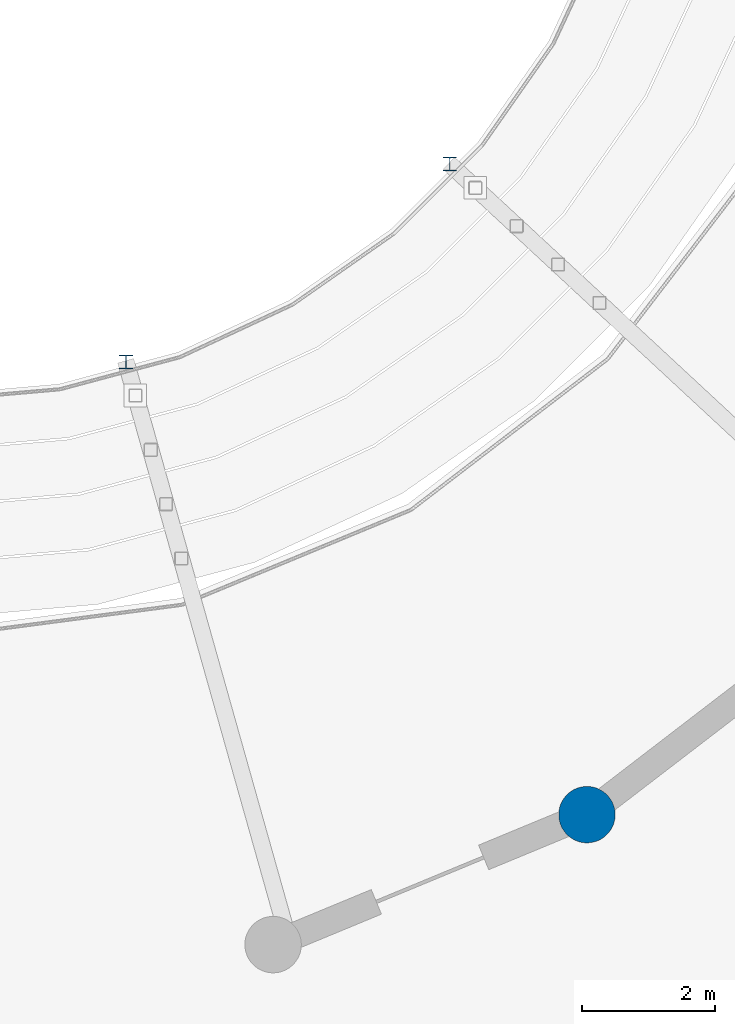
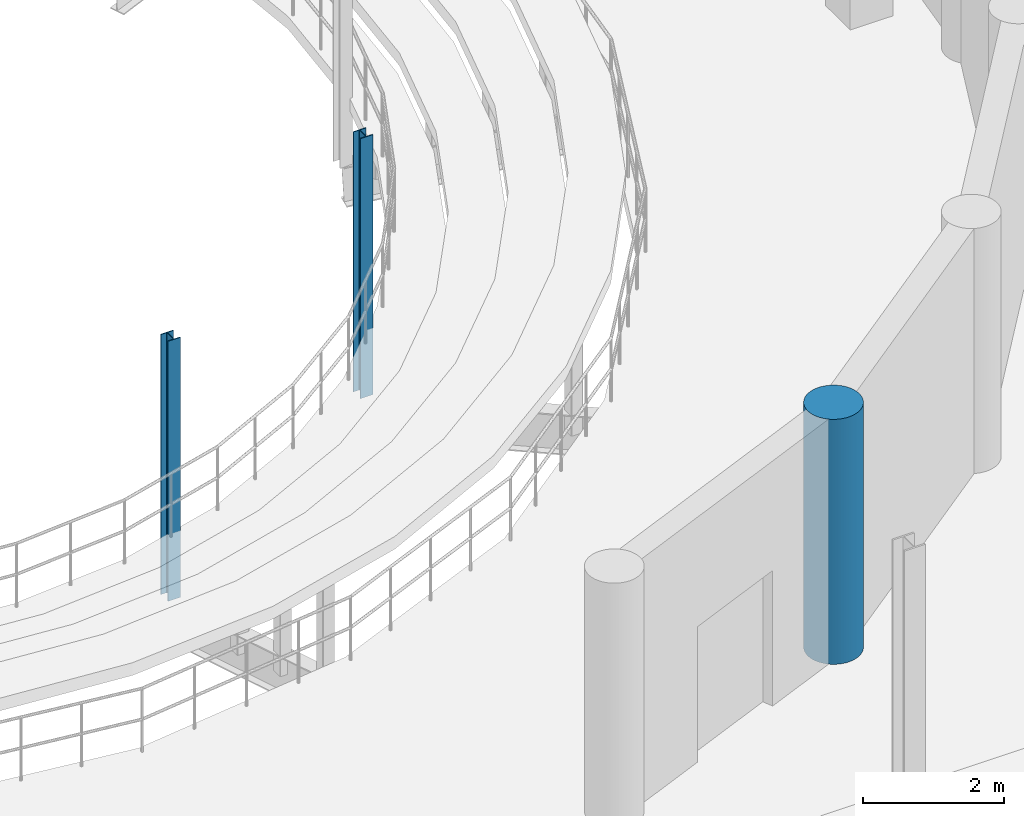
# One storey, part 8 of 73: 3 columns.
"""IFC4 building model written with IfcOpenShell, lengths in metres."""

from ifc_helpers import new_model, si_unit, direction, frame, origin, origin_2d, place, context, subcontext, project, spatial, circle, i_section, extrude, material, material_profile, profile_set, type_object, element, save


model = new_model("IFC4")

# Units and contexts
model_context = context("Model", 3, precision=1e-05, world=origin(), true_north=direction((0.0, 1.0)))
body_context = subcontext(model_context, "Body", "Model", "MODEL_VIEW")
ifc_project = project(units=[si_unit("LENGTHUNIT", "METRE"), si_unit("AREAUNIT", "SQUARE_METRE"), si_unit("VOLUMEUNIT", "CUBIC_METRE"), si_unit("PLANEANGLEUNIT", "RADIAN"), si_unit("MASSUNIT", "GRAM", prefix="KILO")], contexts=[model_context])

# Site, building, storey
site_placement = place(None, origin())
site = spatial("IfcSite", under=ifc_project, at=site_placement, CompositionType="ELEMENT")
building_placement = place(site_placement, origin())
building = spatial("IfcBuilding", under=site, at=building_placement, Name="Marnock Terrace Opera House", CompositionType="ELEMENT")
storey_placement = place(building_placement, frame((0.0, 0.0, 14.699951171875)))
storey = spatial("IfcBuildingStorey", under=building, at=storey_placement, Name="L03", CompositionType="ELEMENT", Elevation=14.699951171875)

# Columns
ifc_material_1 = material(Name="Concrete N50 (f'c = 50 MPa)", Category="concrete")
ifc_material_profile_1 = material_profile(ifc_material_1, circle(Radius=0.425048828125, at=origin_2d()))
ifc_profile_set_1 = profile_set([ifc_material_profile_1], Name="Concrete N50 (f'c = 50 MPa)")
column_type_1 = type_object("IfcColumnType", Name="COL-DRUM-850", PredefinedType="COLUMN", material=ifc_profile_set_1)
column_placement = place(storey_placement, frame((91.800048828125, 43.52587890625, 0.0), z_axis=(0.0, 0.0, 1.0), x_axis=(1.0, 0.0, 0.0)))
element("IfcColumn", 1, at=column_placement, inside=storey, type_object=column_type_1, Name="L03 auditorium drum pier 21", PredefinedType="COLUMN", context=body_context, shape_type="SweptSolid", body=[
    extrude(circle(Radius=0.425048828125, at=origin_2d()), origin(), (0.0, 0.0, 1.0), 4.25),
])
ifc_material_2 = material(Name="Steel Grade 350 (AS/NZS 3679.1)", Category="steel")
ifc_material_profile_2 = material_profile(ifc_material_2, i_section(OverallWidth=0.205078125, OverallDepth=0.209716796875, WebThickness=0.00927734375, FlangeThickness=0.01416015625, FilletRadius=0.011474609375, at=origin_2d()))
ifc_profile_set_2 = profile_set([ifc_material_profile_2], Name="Steel Grade 350 (AS/NZS 3679.1)")
column_type_2 = type_object("IfcColumnType", Name="COL-UC200", PredefinedType="COLUMN", material=ifc_profile_set_2)
for number, where, z_axis, x_axis, name in (
    (2, (84.857421875, 50.34423828125, -0.81005859375), (0.0, 0.0, 1.0), (1.0, 0.0, 0.0), "L03 Auditorium balcony-front column 5"),
    (3, (89.733642578125, 53.32421875, -0.81005859375), (0.0, 0.0, 1.0), (1.0, 0.0, 0.0), "L03 Auditorium balcony-front column 6"),
):
    element("IfcColumn", number, at=place(storey_placement, frame(where, z_axis=z_axis, x_axis=x_axis)), inside=storey, type_object=column_type_2, Name=name, PredefinedType="COLUMN", context=body_context, shape_type="SweptSolid", body=[
        extrude(i_section(OverallWidth=0.205078125, OverallDepth=0.209716796875, WebThickness=0.00927734375, FlangeThickness=0.01416015625, FilletRadius=0.011474609375, at=origin_2d()), origin(), (0.0, 0.0, 1.0), 4.510009765625),
    ])

save(model, "model.ifc")
